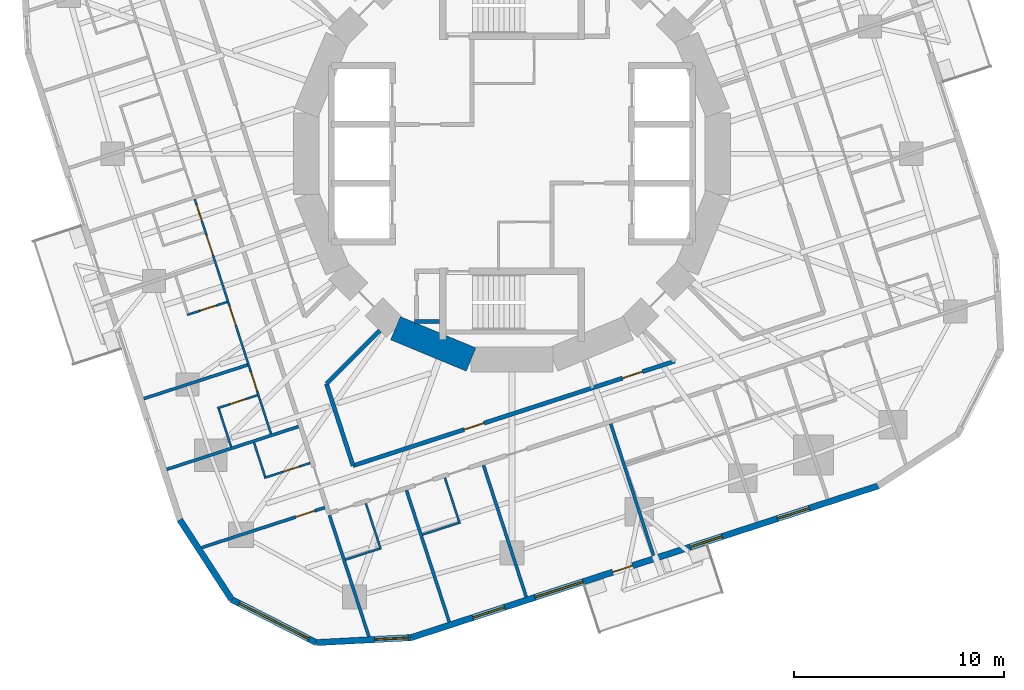
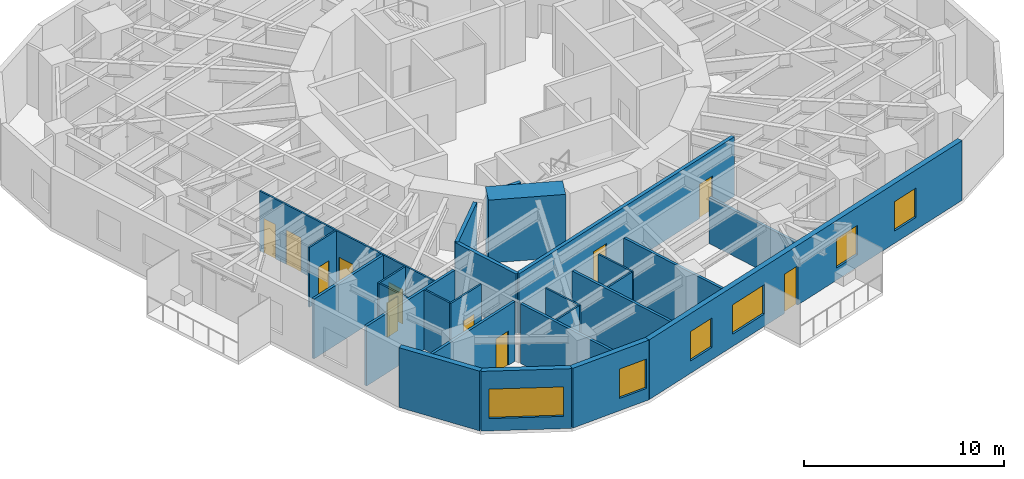
# One storey, part 4 of 13: 26 walls, 11 doors, 6 windows, 17 openings.
"""IFC4 building model written with IfcOpenShell, lengths in metres."""

from ifc_helpers import new_model, si_unit, direction, frame, frame_2d, origin, place, context, subcontext, project, spatial, rectangle, extrude, material, layer, layer_set, type_object, element, fill, save


model = new_model("IFC4")

# Units and contexts
model_context = context("Model", 3, precision=1e-05, world=origin(), true_north=direction((0.0, 1.0)))
body_context = subcontext(model_context, "Body", "Model", "MODEL_VIEW")
ifc_project = project(units=[si_unit("LENGTHUNIT", "METRE"), si_unit("AREAUNIT", "SQUARE_METRE"), si_unit("VOLUMEUNIT", "CUBIC_METRE"), si_unit("PLANEANGLEUNIT", "RADIAN"), si_unit("MASSUNIT", "GRAM", prefix="KILO")], contexts=[model_context])

# Site, building, storey
site_placement = place(None, origin())
site = spatial("IfcSite", under=ifc_project, at=site_placement, CompositionType="ELEMENT")
building_placement = place(site_placement, origin())
building = spatial("IfcBuilding", under=site, at=building_placement, Name="Nakasero Lantern House", CompositionType="ELEMENT")
storey_placement = place(building_placement, frame((0.0, 0.0, 157.199951171875)))
storey = spatial("IfcBuildingStorey", under=building, at=storey_placement, Name="L38", CompositionType="ELEMENT", Elevation=157.199951171875)

# Wall, openings, doors
ifc_material_1 = material(Name="Blockwork", Category="masonry")
ifc_layer_1 = layer(ifc_material_1, 0.10009765625)
ifc_layer_set_1 = layer_set([ifc_layer_1], Name="Cluster hall wall 100")
wall_type_1 = type_object("IfcWallType", Name="Cluster hall wall 100", PredefinedType="PARTITIONING", material=ifc_layer_set_1)
wall_1_placement = place(storey_placement, frame((-15.1220703125, -2.161865234375, 0.0), z_axis=(0.0, 0.0, 1.0), x_axis=(0.309009113534, -0.9510590769, 0.0)))
wall_1 = element("IfcWall", 1, at=wall_1_placement, inside=storey, type_object=wall_type_1, Name="Cluster hall wall L38 HW2-1", PredefinedType="PARTITIONING", context=body_context, shape_type="SweptSolid", body=[
    extrude(rectangle(XDim=11.76416015625, YDim=0.10009765625, at=frame_2d((5.882080078125, 0.0))), origin(), (0.0, 0.0, 1.0), 3.650146484375),
])
opening_1_placement = place(wall_1_placement, frame((1.81396484375, 0.0, 0.0)))
opening_1 = element("IfcOpeningElement", 2, at=opening_1_placement, cuts=wall_1, Name="Opening D03", PredefinedType="OPENING", context=body_context, shape_type="SweptSolid", body=[
    extrude(rectangle(XDim=1.0, YDim=2.10009765625, at=frame_2d((0.5, 1.050048828125))), frame((0.0, 0.070068359375, 0.0), z_axis=(0.0, -1.0, 0.0), x_axis=(1.0, 0.0, 0.0)), (0.0, 0.0, 1.0), 0.14013671875),
])
opening_2_placement = place(wall_1_placement, frame((0.300048828125, 0.0, 0.0)))
opening_2 = element("IfcOpeningElement", 3, at=opening_2_placement, cuts=wall_1, Name="Opening D02", PredefinedType="OPENING", context=body_context, shape_type="SweptSolid", body=[
    extrude(rectangle(XDim=0.800048828125, YDim=2.10009765625, at=frame_2d((0.39990234375, 1.050048828125))), frame((0.0, 0.070068359375, 0.0), z_axis=(0.0, -1.0, 0.0), x_axis=(1.0, 0.0, 0.0)), (0.0, 0.0, 1.0), 0.14013671875),
])
opening_3_placement = place(wall_1_placement, frame((5.364013671875, 0.0, 0.0)))
opening_3 = element("IfcOpeningElement", 4, at=opening_3_placement, cuts=wall_1, Name="Opening D01", PredefinedType="OPENING", context=body_context, shape_type="SweptSolid", body=[
    extrude(rectangle(XDim=0.949951171875, YDim=2.10009765625, at=frame_2d((0.47509765625, 1.050048828125))), frame((0.0, 0.070068359375, 0.0), z_axis=(0.0, -1.0, 0.0), x_axis=(1.0, 0.0, 0.0)), (0.0, 0.0, 1.0), 0.14013671875),
])
opening_4_placement = place(wall_1_placement, frame((8.670166015625, 0.0, 0.0)))
opening_4 = element("IfcOpeningElement", 5, at=opening_4_placement, cuts=wall_1, Name="Opening D01", PredefinedType="OPENING", context=body_context, shape_type="SweptSolid", body=[
    extrude(rectangle(XDim=0.949951171875, YDim=2.10009765625, at=frame_2d((0.47509765625, 1.050048828125))), frame((0.0, 0.070068359375, 0.0), z_axis=(0.0, -1.0, 0.0), x_axis=(1.0, 0.0, 0.0)), (0.0, 0.0, 1.0), 0.14013671875),
])
ifc_material_2 = material(Name="Timber C24", Category="wood")
door_type_1 = type_object("IfcDoorType", Name="Bedroom door FD30S 950", OperationType="SINGLE_SWING_LEFT", PredefinedType="DOOR", material=ifc_material_2)
door_1_placement = place(opening_3_placement, origin())
door_1 = element("IfcDoor", 6, at=door_1_placement, inside=storey, type_object=door_type_1, Name="Door L38 D2-04", OperationType="SINGLE_SWING_LEFT", OverallHeight=2.10009765625, OverallWidth=0.949951171875, PredefinedType="DOOR", context=body_context, shape_type="SweptSolid", body=[
    extrude(rectangle(XDim=0.949951171875, YDim=2.10009765625, at=frame_2d((0.47509765625, 1.050048828125))), frame((0.0, 0.02490234375, 0.0), z_axis=(0.0, -1.0, 0.0), x_axis=(1.0, 0.0, 0.0)), (0.0, 0.0, 1.0), 0.050048828125),
])
fill(opening_3, door_1)
door_2_placement = place(opening_4_placement, origin())
door_2 = element("IfcDoor", 7, at=door_2_placement, inside=storey, type_object=door_type_1, Name="Door L38 D2-05", OperationType="SINGLE_SWING_RIGHT", OverallHeight=2.10009765625, OverallWidth=0.949951171875, PredefinedType="DOOR", context=body_context, shape_type="SweptSolid", body=[
    extrude(rectangle(XDim=0.949951171875, YDim=2.10009765625, at=frame_2d((0.47509765625, 1.050048828125))), frame((0.0, 0.02490234375, 0.0), z_axis=(0.0, -1.0, 0.0), x_axis=(1.0, 0.0, 0.0)), (0.0, 0.0, 1.0), 0.050048828125),
])
fill(opening_4, door_2)
ifc_material_3 = material(Name="Timber C24", Category="wood")
door_type_2 = type_object("IfcDoorType", Name="En-suite door 800", OperationType="SINGLE_SWING_RIGHT", PredefinedType="DOOR", material=ifc_material_3)
door_3_placement = place(opening_2_placement, origin())
door_3 = element("IfcDoor", 8, at=door_3_placement, inside=storey, type_object=door_type_2, Name="Door L38 DSH2-1", OperationType="SINGLE_SWING_LEFT", OverallHeight=2.10009765625, OverallWidth=0.800048828125, PredefinedType="DOOR", context=body_context, shape_type="SweptSolid", body=[
    extrude(rectangle(XDim=0.800048828125, YDim=2.10009765625, at=frame_2d((0.39990234375, 1.050048828125))), frame((0.0, 0.02490234375, 0.0), z_axis=(0.0, -1.0, 0.0), x_axis=(1.0, 0.0, 0.0)), (0.0, 0.0, 1.0), 0.050048828125),
])
fill(opening_2, door_3)
ifc_material_4 = material(Name="Timber C24", Category="wood")
door_type_3 = type_object("IfcDoorType", Name="Lounge door FD30S 1000", OperationType="SINGLE_SWING_LEFT", PredefinedType="DOOR", material=ifc_material_4)
door_4_placement = place(opening_1_placement, origin())
door_4 = element("IfcDoor", 9, at=door_4_placement, inside=storey, type_object=door_type_3, Name="Door L38 DH2-1", OperationType="SINGLE_SWING_LEFT", OverallHeight=2.10009765625, OverallWidth=1.0, PredefinedType="DOOR", context=body_context, shape_type="SweptSolid", body=[
    extrude(rectangle(XDim=1.0, YDim=2.10009765625, at=frame_2d((0.5, 1.050048828125))), frame((0.0, 0.02490234375, 0.0), z_axis=(0.0, -1.0, 0.0), x_axis=(1.0, 0.0, 0.0)), (0.0, 0.0, 1.0), 0.050048828125),
])
fill(opening_1, door_4)

# Walls
ifc_material_5 = material(Name="Concrete C50/60", Category="concrete")
ifc_layer_2 = layer(ifc_material_5, 1.199951171875)
ifc_layer_set_2 = layer_set([ifc_layer_2], Name="Core wall 1200")
wall_type_2 = type_object("IfcWallType", Name="Core wall 1200", PredefinedType="SHEAR", material=ifc_layer_set_2)
wall_2_placement = place(storey_placement, frame((-5.5556640625, -8.314697265625, 0.0), z_axis=(0.0, 0.0, 1.0), x_axis=(0.923876507187, -0.382690736062, 0.0)))
element("IfcWall", 10, at=wall_2_placement, inside=storey, type_object=wall_type_2, Name="Core wall L38 facet 11", PredefinedType="SHEAR", context=body_context, shape_type="SweptSolid", body=[
    extrude(rectangle(XDim=3.90185546875, YDim=1.199951171875, at=frame_2d((1.950927734375, 0.0))), origin(), (0.0, 0.0, 1.0), 3.85009765625),
])
ifc_material_6 = material(Name="Blockwork", Category="masonry")
ifc_layer_3 = layer(ifc_material_6, 0.199951171875)
ifc_layer_set_3 = layer_set([ifc_layer_3], Name="Corridor wall 200")
wall_type_3 = type_object("IfcWallType", Name="Corridor wall 200", PredefinedType="PARTITIONING", material=ifc_layer_set_3)
wall_3_placement = place(storey_placement, frame((-8.84423828125, -10.965576171875, 0.0), z_axis=(0.0, 0.0, 1.0), x_axis=(0.308973082722, -0.951070782935, 0.0)))
element("IfcWall", 11, at=wall_3_placement, inside=storey, type_object=wall_type_3, Name="Corridor wall L38 IW2-1", PredefinedType="PARTITIONING", context=body_context, shape_type="SweptSolid", body=[
    extrude(rectangle(XDim=4.104248046875, YDim=0.199951171875, at=frame_2d((2.05224609375, 0.0))), origin(), (0.0, 0.0, 1.0), 3.650146484375),
])

# Wall, openings, doors
wall_4_placement = place(storey_placement, frame((-7.576171875, -14.868896484375, 0.0), z_axis=(0.0, 0.0, 1.0), x_axis=(0.951056647235, 0.309016591385, 0.0)))
wall_4 = element("IfcWall", 12, at=wall_4_placement, inside=storey, type_object=wall_type_3, Name="Corridor wall L38 IW3-0", PredefinedType="PARTITIONING", context=body_context, shape_type="SweptSolid", body=[
    extrude(rectangle(XDim=16.12890625, YDim=0.199951171875, at=frame_2d((8.064453125, 0.0))), origin(), (0.0, 0.0, 1.0), 3.650146484375),
])
opening_5_placement = place(wall_4_placement, frame((5.5625, 0.0, 0.0)))
opening_5 = element("IfcOpeningElement", 13, at=opening_5_placement, cuts=wall_4, Name="Opening D07", PredefinedType="OPENING", context=body_context, shape_type="SweptSolid", body=[
    extrude(rectangle(XDim=1.0, YDim=2.10009765625, at=frame_2d((0.5, 1.050048828125))), frame((0.0, 0.119873046875, 0.0), z_axis=(0.0, -1.0, 0.0), x_axis=(1.0, 0.0, 0.0)), (0.0, 0.0, 1.0), 0.239990234375),
])
opening_6_placement = place(wall_4_placement, frame((13.501953125, 0.0, 0.0)))
opening_6 = element("IfcOpeningElement", 14, at=opening_6_placement, cuts=wall_4, Name="Opening D07", PredefinedType="OPENING", context=body_context, shape_type="SweptSolid", body=[
    extrude(rectangle(XDim=1.0, YDim=2.10009765625, at=frame_2d((0.5, 1.050048828125))), frame((0.0, 0.119873046875, 0.0), z_axis=(0.0, -1.0, 0.0), x_axis=(1.0, 0.0, 0.0)), (0.0, 0.0, 1.0), 0.239990234375),
])
ifc_material_7 = material(Name="Timber C24", Category="wood")
door_type_4 = type_object("IfcDoorType", Name="Room door FD30S 1000", OperationType="SINGLE_SWING_LEFT", PredefinedType="DOOR", material=ifc_material_7)
door_5_placement = place(opening_5_placement, origin())
door_5 = element("IfcDoor", 15, at=door_5_placement, inside=storey, type_object=door_type_4, Name="Door L38 DI2", OperationType="SINGLE_SWING_LEFT", OverallHeight=2.10009765625, OverallWidth=1.0, PredefinedType="DOOR", context=body_context, shape_type="SweptSolid", body=[
    extrude(rectangle(XDim=1.0, YDim=2.10009765625, at=frame_2d((0.5, 1.050048828125))), frame((0.0, 0.02490234375, 0.0), z_axis=(0.0, -1.0, 0.0), x_axis=(1.0, 0.0, 0.0)), (0.0, 0.0, 1.0), 0.050048828125),
])
fill(opening_5, door_5)
door_6_placement = place(opening_6_placement, origin())
door_6 = element("IfcDoor", 16, at=door_6_placement, inside=storey, type_object=door_type_4, Name="Door L38 DI3", OperationType="SINGLE_SWING_RIGHT", OverallHeight=2.10009765625, OverallWidth=1.0, PredefinedType="DOOR", context=body_context, shape_type="SweptSolid", body=[
    extrude(rectangle(XDim=1.0, YDim=2.10009765625, at=frame_2d((0.5, 1.050048828125))), frame((0.0, 0.02490234375, 0.0), z_axis=(0.0, -1.0, 0.0), x_axis=(1.0, 0.0, 0.0)), (0.0, 0.0, 1.0), 0.050048828125),
])
fill(opening_6, door_6)

# Wall
wall_5_placement = place(storey_placement, frame((-6.298828125, -8.420166015625, 0.0), z_axis=(0.0, 0.0, 1.0), x_axis=(-0.707106781187, -0.707106781187, 0.0)))
element("IfcWall", 17, at=wall_5_placement, inside=storey, type_object=wall_type_3, Name="Corridor wall L38 PS10a", PredefinedType="PARTITIONING", context=body_context, shape_type="SweptSolid", body=[
    extrude(rectangle(XDim=3.599853515625, YDim=0.199951171875, at=frame_2d((1.7998046875, 0.0))), origin(), (0.0, 0.0, 1.0), 3.650146484375),
])

# Wall, opening, door
ifc_material_8 = material(Name="Blockwork", Category="masonry")
ifc_layer_4 = layer(ifc_material_8, 0.10009765625)
ifc_layer_set_4 = layer_set([ifc_layer_4], Name="En-suite wall 100")
wall_type_4 = type_object("IfcWallType", Name="En-suite wall 100", PredefinedType="PARTITIONING", material=ifc_layer_set_4)
wall_6_placement = place(storey_placement, frame((-13.58154296875, -7.064697265625, 0.0), z_axis=(0.0, 0.0, 1.0), x_axis=(-0.951036759863, -0.309077791808, 0.0)))
wall_6 = element("IfcWall", 18, at=wall_6_placement, inside=storey, type_object=wall_type_4, Name="En-suite wall L38 ES2-04", PredefinedType="PARTITIONING", context=body_context, shape_type="SweptSolid", body=[
    extrude(rectangle(XDim=2.0, YDim=0.10009765625, at=frame_2d((1.0, 0.0))), origin(), (0.0, 0.0, 1.0), 3.650146484375),
])
opening_7_placement = place(wall_6_placement, frame((0.550048828125, 0.0, 0.0)))
opening_7 = element("IfcOpeningElement", 19, at=opening_7_placement, cuts=wall_6, Name="Opening D02", PredefinedType="OPENING", context=body_context, shape_type="SweptSolid", body=[
    extrude(rectangle(XDim=0.800048828125, YDim=2.10009765625, at=frame_2d((0.39990234375, 1.050048828125))), frame((0.0, 0.070068359375, 0.0), z_axis=(0.0, -1.0, 0.0), x_axis=(1.0, 0.0, 0.0)), (0.0, 0.0, 1.0), 0.14013671875),
])
door_7_placement = place(opening_7_placement, origin())
door_7 = element("IfcDoor", 20, at=door_7_placement, inside=storey, type_object=door_type_2, Name="Door L38 DE2-04", OperationType="SINGLE_SWING_LEFT", OverallHeight=2.10009765625, OverallWidth=0.800048828125, PredefinedType="DOOR", context=body_context, shape_type="SweptSolid", body=[
    extrude(rectangle(XDim=0.800048828125, YDim=2.10009765625, at=frame_2d((0.39990234375, 1.050048828125))), frame((0.0, 0.02490234375, 0.0), z_axis=(0.0, -1.0, 0.0), x_axis=(1.0, 0.0, 0.0)), (0.0, 0.0, 1.0), 0.050048828125),
])
fill(opening_7, door_7)

wall_7_placement = place(storey_placement, frame((-12.13671875, -11.51123046875, 0.0), z_axis=(0.0, 0.0, 1.0), x_axis=(-0.951048418938, -0.309041914367, 0.0)))
wall_7 = element("IfcWall", 21, at=wall_7_placement, inside=storey, type_object=wall_type_4, Name="En-suite wall L38 ES2-05", PredefinedType="PARTITIONING", context=body_context, shape_type="SweptSolid", body=[
    extrude(rectangle(XDim=2.000244140625, YDim=0.10009765625, at=frame_2d((1.0, 0.0))), origin(), (0.0, 0.0, 1.0), 3.650146484375),
])
opening_8_placement = place(wall_7_placement, frame((0.550048828125, 0.0, 0.0)))
opening_8 = element("IfcOpeningElement", 22, at=opening_8_placement, cuts=wall_7, Name="Opening D02", PredefinedType="OPENING", context=body_context, shape_type="SweptSolid", body=[
    extrude(rectangle(XDim=0.800048828125, YDim=2.10009765625, at=frame_2d((0.39990234375, 1.050048828125))), frame((0.0, 0.070068359375, 0.0), z_axis=(0.0, -1.0, 0.0), x_axis=(1.0, 0.0, 0.0)), (0.0, 0.0, 1.0), 0.14013671875),
])
door_8_placement = place(opening_8_placement, origin())
door_8 = element("IfcDoor", 23, at=door_8_placement, inside=storey, type_object=door_type_2, Name="Door L38 DE2-05", OperationType="SINGLE_SWING_LEFT", OverallHeight=2.10009765625, OverallWidth=0.800048828125, PredefinedType="DOOR", context=body_context, shape_type="SweptSolid", body=[
    extrude(rectangle(XDim=0.800048828125, YDim=2.10009765625, at=frame_2d((0.39990234375, 1.050048828125))), frame((0.0, 0.02490234375, 0.0), z_axis=(0.0, -1.0, 0.0), x_axis=(1.0, 0.0, 0.0)), (0.0, 0.0, 1.0), 0.050048828125),
])
fill(opening_8, door_8)

# Wall
wall_8_placement = place(storey_placement, frame((-13.975830078125, -12.161376953125, 0.0), z_axis=(0.0, 0.0, 1.0), x_axis=(0.308894308917, -0.951096370469, 0.0)))
element("IfcWall", 24, at=wall_8_placement, inside=storey, type_object=wall_type_4, Name="En-suite wall L38 EE2-05", PredefinedType="PARTITIONING", context=body_context, shape_type="SweptSolid", body=[
    extrude(rectangle(XDim=1.900146484375, YDim=0.10009765625, at=frame_2d((0.9501953125, 0.0))), origin(), (0.0, 0.0, 1.0), 3.650146484375),
])

# Wall, opening, door
wall_9_placement = place(storey_placement, frame((-9.61572265625, -14.740234375, 0.0), z_axis=(0.0, 0.0, 1.0), x_axis=(-0.951055129775, -0.309021261611, 0.0)))
wall_9 = element("IfcWall", 25, at=wall_9_placement, inside=storey, type_object=wall_type_4, Name="En-suite wall L38 ES2-06", PredefinedType="PARTITIONING", context=body_context, shape_type="SweptSolid", body=[
    extrude(rectangle(XDim=2.2998046875, YDim=0.10009765625, at=frame_2d((1.14990234375, 0.0))), origin(), (0.0, 0.0, 1.0), 3.650146484375),
])
opening_9_placement = place(wall_9_placement, frame((0.550048828125, 0.0, 0.0)))
opening_9 = element("IfcOpeningElement", 26, at=opening_9_placement, cuts=wall_9, Name="Opening D02", PredefinedType="OPENING", context=body_context, shape_type="SweptSolid", body=[
    extrude(rectangle(XDim=0.800048828125, YDim=2.10009765625, at=frame_2d((0.39990234375, 1.050048828125))), frame((0.0, 0.070068359375, 0.0), z_axis=(0.0, -1.0, 0.0), x_axis=(1.0, 0.0, 0.0)), (0.0, 0.0, 1.0), 0.14013671875),
])
door_9_placement = place(opening_9_placement, origin())
door_9 = element("IfcDoor", 27, at=door_9_placement, inside=storey, type_object=door_type_2, Name="Door L38 DE2-06", OperationType="SINGLE_SWING_LEFT", OverallHeight=2.10009765625, OverallWidth=0.800048828125, PredefinedType="DOOR", context=body_context, shape_type="SweptSolid", body=[
    extrude(rectangle(XDim=0.800048828125, YDim=2.10009765625, at=frame_2d((0.39990234375, 1.050048828125))), frame((0.0, 0.02490234375, 0.0), z_axis=(0.0, -1.0, 0.0), x_axis=(1.0, 0.0, 0.0)), (0.0, 0.0, 1.0), 0.050048828125),
])
fill(opening_9, door_9)

# Walls
wall_10_placement = place(storey_placement, frame((-12.29638671875, -13.771240234375, 0.0), z_axis=(0.0, 0.0, 1.0), x_axis=(0.309066587596, -0.951040401051, 0.0)))
element("IfcWall", 28, at=wall_10_placement, inside=storey, type_object=wall_type_4, Name="En-suite wall L38 EE2-06", PredefinedType="PARTITIONING", context=body_context, shape_type="SweptSolid", body=[
    extrude(rectangle(XDim=1.699951171875, YDim=0.10009765625, at=frame_2d((0.85009765625, 0.0))), origin(), (0.0, 0.0, 1.0), 3.650146484375),
])
wall_11_placement = place(storey_placement, frame((-6.965087890625, -16.668212890625, 0.0), z_axis=(0.0, 0.0, 1.0), x_axis=(0.309021261611, -0.951055129775, 0.0)))
element("IfcWall", 29, at=wall_11_placement, inside=storey, type_object=wall_type_4, Name="En-suite wall L38 ES3-00", PredefinedType="PARTITIONING", context=body_context, shape_type="SweptSolid", body=[
    extrude(rectangle(XDim=2.2998046875, YDim=0.10009765625, at=frame_2d((1.14990234375, 0.0))), origin(), (0.0, 0.0, 1.0), 3.650146484375),
])
wall_12_placement = place(storey_placement, frame((-7.934326171875, -19.348876953125, 0.0), z_axis=(0.0, 0.0, 1.0), x_axis=(0.951054116971, 0.309024378638, 0.0)))
element("IfcWall", 30, at=wall_12_placement, inside=storey, type_object=wall_type_4, Name="En-suite wall L38 EE3-00", PredefinedType="PARTITIONING", context=body_context, shape_type="SweptSolid", body=[
    extrude(rectangle(XDim=1.7001953125, YDim=0.10009765625, at=frame_2d((0.85009765625, 0.0))), origin(), (0.0, 0.0, 1.0), 3.650146484375),
])
wall_13_placement = place(storey_placement, frame((-3.199462890625, -15.444580078125, 0.0), z_axis=(0.0, 0.0, 1.0), x_axis=(0.308990065628, -0.951065265554, 0.0)))
element("IfcWall", 31, at=wall_13_placement, inside=storey, type_object=wall_type_4, Name="En-suite wall L38 ES3-01", PredefinedType="PARTITIONING", context=body_context, shape_type="SweptSolid", body=[
    extrude(rectangle(XDim=2.300048828125, YDim=0.10009765625, at=frame_2d((1.14990234375, 0.0))), origin(), (0.0, 0.0, 1.0), 3.650146484375),
])
wall_14_placement = place(storey_placement, frame((-4.263671875, -18.15625, 0.0), z_axis=(0.0, 0.0, 1.0), x_axis=(0.951030081821, 0.309098339485, 0.0)))
element("IfcWall", 32, at=wall_14_placement, inside=storey, type_object=wall_type_4, Name="En-suite wall L38 EE3-01", PredefinedType="PARTITIONING", context=body_context, shape_type="SweptSolid", body=[
    extrude(rectangle(XDim=1.800048828125, YDim=0.10009765625, at=frame_2d((0.89990234375, 0.0))), origin(), (0.0, 0.0, 1.0), 3.650146484375),
])
ifc_material_9 = material(Name="Aluminium rainscreen on blockwork", Category="masonry")
ifc_layer_5 = layer(ifc_material_9, 0.300048828125)
ifc_layer_set_5 = layer_set([ifc_layer_5], Name="Facade wall 300")
wall_type_5 = type_object("IfcWallType", Name="Facade wall 300", PredefinedType="SOLIDWALL", material=ifc_layer_set_5)
wall_15_placement = place(storey_placement, frame((-15.83349609375, -17.44677734375, 0.0), z_axis=(0.0, 0.0, 1.0), x_axis=(0.544634002266, -0.838673836229, 0.0)))
element("IfcWall", 33, at=wall_15_placement, inside=storey, type_object=wall_type_5, Name="Facade wall L38 FW2C1", PredefinedType="SOLIDWALL", context=body_context, shape_type="SweptSolid", body=[
    extrude(rectangle(XDim=4.529296875, YDim=0.300048828125, at=frame_2d((2.2646484375, 0.0))), origin(), (0.0, 0.0, 1.0), 3.650146484375),
])

# Wall, opening, window
wall_16_placement = place(storey_placement, frame((-13.36669921875, -21.245361328125, 0.0), z_axis=(0.0, 0.0, 1.0), x_axis=(0.890994655705, -0.454013792196, 0.0)))
wall_16 = element("IfcWall", 34, at=wall_16_placement, inside=storey, type_object=wall_type_5, Name="Facade wall L38 FW2C2", PredefinedType="SOLIDWALL", context=body_context, shape_type="SweptSolid", body=[
    extrude(rectangle(XDim=4.529296875, YDim=0.300048828125, at=frame_2d((2.2646484375, 0.0))), origin(), (0.0, 0.0, 1.0), 3.650146484375),
])
opening_10_placement = place(wall_16_placement, frame((0.39990234375, 0.0, 0.75)))
opening_10 = element("IfcOpeningElement", 35, at=opening_10_placement, cuts=wall_16, Name="Opening W237A", PredefinedType="OPENING", context=body_context, shape_type="SweptSolid", body=[
    extrude(rectangle(XDim=3.72900390625, YDim=1.800048828125, at=frame_2d((1.864501953125, 0.89990234375))), frame((0.0, 0.169921875, 0.0), z_axis=(0.0, -1.0, 0.0), x_axis=(1.0, 0.0, 0.0)), (0.0, 0.0, 1.0), 0.340087890625),
])
ifc_material_10 = material(Name="Aluminium 6063-T6 and glass", Category="aluminium")
window_type_1 = type_object("IfcWindowType", Name="Corner window 3729x1800", PartitioningType="SINGLE_PANEL", PredefinedType="WINDOW", material=ifc_material_10)
window_1_placement = place(opening_10_placement, origin())
window_1 = element("IfcWindow", 36, at=window_1_placement, inside=storey, type_object=window_type_1, Name="Window L38 WC2", OverallHeight=1.800048828125, OverallWidth=3.72900390625, PartitioningType="SINGLE_PANEL", PredefinedType="WINDOW", context=body_context, shape_type="SweptSolid", body=[
    extrude(rectangle(XDim=3.72900390625, YDim=1.800048828125, at=frame_2d((1.864501953125, 0.89990234375))), frame((0.0, 0.030029296875, 0.0), z_axis=(0.0, -1.0, 0.0), x_axis=(1.0, 0.0, 0.0)), (0.0, 0.0, 1.0), 0.06005859375),
])
fill(opening_10, window_1)

wall_17_placement = place(storey_placement, frame((-9.3310546875, -23.3017578125, 0.0), z_axis=(0.0, 0.0, 1.0), x_axis=(0.998629419044, 0.052338164079, 0.0)))
wall_17 = element("IfcWall", 37, at=wall_17_placement, inside=storey, type_object=wall_type_5, Name="Facade wall L38 FW2C3", PredefinedType="SOLIDWALL", context=body_context, shape_type="SweptSolid", body=[
    extrude(rectangle(XDim=4.529296875, YDim=0.300048828125, at=frame_2d((2.2646484375, 0.0))), origin(), (0.0, 0.0, 1.0), 3.650146484375),
])
opening_11_placement = place(wall_17_placement, frame((2.784912109375, 0.0, 0.75)))
opening_11 = element("IfcOpeningElement", 38, at=opening_11_placement, cuts=wall_17, Name="Opening W01", PredefinedType="OPENING", context=body_context, shape_type="SweptSolid", body=[
    extrude(rectangle(XDim=1.60009765625, YDim=1.800048828125, at=frame_2d((0.800048828125, 0.89990234375))), frame((0.0, 0.169921875, 0.0), z_axis=(0.0, -1.0, 0.0), x_axis=(1.0, 0.0, 0.0)), (0.0, 0.0, 1.0), 0.340087890625),
])
ifc_material_11 = material(Name="Aluminium 6063-T6 and glass", Category="aluminium")
window_type_2 = type_object("IfcWindowType", Name="Bedroom window 1600x1800", PartitioningType="SINGLE_PANEL", PredefinedType="WINDOW", material=ifc_material_11)
window_2_placement = place(opening_11_placement, origin())
window_2 = element("IfcWindow", 39, at=window_2_placement, inside=storey, type_object=window_type_2, Name="Window L38 WN3-00", OverallHeight=1.800048828125, OverallWidth=1.60009765625, PartitioningType="SINGLE_PANEL", PredefinedType="WINDOW", context=body_context, shape_type="SweptSolid", body=[
    extrude(rectangle(XDim=1.60009765625, YDim=1.800048828125, at=frame_2d((0.800048828125, 0.89990234375))), frame((0.0, 0.030029296875, 0.0), z_axis=(0.0, -1.0, 0.0), x_axis=(1.0, 0.0, 0.0)), (0.0, 0.0, 1.0), 0.06005859375),
])
fill(opening_11, window_2)

# Wall, openings, door, windows
wall_18_placement = place(storey_placement, frame((-4.807861328125, -23.064697265625, 0.0), z_axis=(0.0, 0.0, 1.0), x_axis=(0.951053618334, 0.30902591324, 0.0)))
wall_18 = element("IfcWall", 40, at=wall_18_placement, inside=storey, type_object=wall_type_5, Name="Facade wall L38 FW3S", PredefinedType="SOLIDWALL", context=body_context, shape_type="SweptSolid", body=[
    extrude(rectangle(XDim=23.39990234375, YDim=0.300048828125, at=frame_2d((11.699951171875, 0.0))), origin(), (0.0, 0.0, 1.0), 3.650146484375),
])
opening_12_placement = place(wall_18_placement, frame((3.089111328125, 0.0, 0.75)))
opening_12 = element("IfcOpeningElement", 41, at=opening_12_placement, cuts=wall_18, Name="Opening W01", PredefinedType="OPENING", context=body_context, shape_type="SweptSolid", body=[
    extrude(rectangle(XDim=1.60009765625, YDim=1.800048828125, at=frame_2d((0.800048828125, 0.89990234375))), frame((0.0, 0.169921875, 0.0), z_axis=(0.0, -1.0, 0.0), x_axis=(1.0, 0.0, 0.0)), (0.0, 0.0, 1.0), 0.340087890625),
])
opening_13_placement = place(wall_18_placement, frame((13.987548828125, 0.0, 0.75)))
opening_13 = element("IfcOpeningElement", 42, at=opening_13_placement, cuts=wall_18, Name="Opening W01", PredefinedType="OPENING", context=body_context, shape_type="SweptSolid", body=[
    extrude(rectangle(XDim=1.60009765625, YDim=1.800048828125, at=frame_2d((0.800048828125, 0.89990234375))), frame((0.0, 0.169921875, 0.0), z_axis=(0.0, -1.0, 0.0), x_axis=(1.0, 0.0, 0.0)), (0.0, 0.0, 1.0), 0.340087890625),
])
opening_14_placement = place(wall_18_placement, frame((18.350341796875, 0.0, 0.75)))
opening_14 = element("IfcOpeningElement", 43, at=opening_14_placement, cuts=wall_18, Name="Opening W01", PredefinedType="OPENING", context=body_context, shape_type="SweptSolid", body=[
    extrude(rectangle(XDim=1.60009765625, YDim=1.800048828125, at=frame_2d((0.800048828125, 0.89990234375))), frame((0.0, 0.169921875, 0.0), z_axis=(0.0, -1.0, 0.0), x_axis=(1.0, 0.0, 0.0)), (0.0, 0.0, 1.0), 0.340087890625),
])
opening_15_placement = place(wall_18_placement, frame((6.21337890625, 0.0, 0.75)))
opening_15 = element("IfcOpeningElement", 44, at=opening_15_placement, cuts=wall_18, Name="Opening W03", PredefinedType="OPENING", context=body_context, shape_type="SweptSolid", body=[
    extrude(rectangle(XDim=2.39990234375, YDim=1.800048828125, at=frame_2d((1.199951171875, 0.89990234375))), frame((0.0, 0.169921875, 0.0), z_axis=(0.0, -1.0, 0.0), x_axis=(1.0, 0.0, 0.0)), (0.0, 0.0, 1.0), 0.340087890625),
])
opening_16_placement = place(wall_18_placement, frame((10.1025390625, 0.0, 0.0)))
opening_16 = element("IfcOpeningElement", 45, at=opening_16_placement, cuts=wall_18, Name="Opening D04", PredefinedType="OPENING", context=body_context, shape_type="SweptSolid", body=[
    extrude(rectangle(XDim=1.0, YDim=2.39990234375, at=frame_2d((0.5, 1.199951171875))), frame((0.0, 0.169921875, 0.0), z_axis=(0.0, -1.0, 0.0), x_axis=(1.0, 0.0, 0.0)), (0.0, 0.0, 1.0), 0.340087890625),
])
ifc_material_12 = material(Name="Aluminium 6063-T6 and glass", Category="aluminium")
door_type_5 = type_object("IfcDoorType", Name="Balcony door 1000x2400", OperationType="SINGLE_SWING_RIGHT", PredefinedType="DOOR", material=ifc_material_12)
door_10_placement = place(opening_16_placement, origin())
door_10 = element("IfcDoor", 46, at=door_10_placement, inside=storey, type_object=door_type_5, Name="Balcony door L38 DB3", OperationType="SINGLE_SWING_RIGHT", OverallHeight=2.39990234375, OverallWidth=1.0, PredefinedType="DOOR", context=body_context, shape_type="SweptSolid", body=[
    extrude(rectangle(XDim=1.0, YDim=2.39990234375, at=frame_2d((0.5, 1.199951171875))), frame((0.0, 0.02490234375, 0.0), z_axis=(0.0, -1.0, 0.0), x_axis=(1.0, 0.0, 0.0)), (0.0, 0.0, 1.0), 0.050048828125),
])
fill(opening_16, door_10)
window_3_placement = place(opening_12_placement, origin())
window_3 = element("IfcWindow", 47, at=window_3_placement, inside=storey, type_object=window_type_2, Name="Window L38 WN3-01", OverallHeight=1.800048828125, OverallWidth=1.60009765625, PartitioningType="SINGLE_PANEL", PredefinedType="WINDOW", context=body_context, shape_type="SweptSolid", body=[
    extrude(rectangle(XDim=1.60009765625, YDim=1.800048828125, at=frame_2d((0.800048828125, 0.89990234375))), frame((0.0, 0.030029296875, 0.0), z_axis=(0.0, -1.0, 0.0), x_axis=(1.0, 0.0, 0.0)), (0.0, 0.0, 1.0), 0.06005859375),
])
fill(opening_12, window_3)
window_4_placement = place(opening_13_placement, origin())
window_4 = element("IfcWindow", 48, at=window_4_placement, inside=storey, type_object=window_type_2, Name="Window L38 WN3-04", OverallHeight=1.800048828125, OverallWidth=1.60009765625, PartitioningType="SINGLE_PANEL", PredefinedType="WINDOW", context=body_context, shape_type="SweptSolid", body=[
    extrude(rectangle(XDim=1.60009765625, YDim=1.800048828125, at=frame_2d((0.800048828125, 0.89990234375))), frame((0.0, 0.030029296875, 0.0), z_axis=(0.0, -1.0, 0.0), x_axis=(1.0, 0.0, 0.0)), (0.0, 0.0, 1.0), 0.06005859375),
])
fill(opening_13, window_4)
window_5_placement = place(opening_14_placement, origin())
window_5 = element("IfcWindow", 49, at=window_5_placement, inside=storey, type_object=window_type_2, Name="Window L38 WN3-05", OverallHeight=1.800048828125, OverallWidth=1.60009765625, PartitioningType="SINGLE_PANEL", PredefinedType="WINDOW", context=body_context, shape_type="SweptSolid", body=[
    extrude(rectangle(XDim=1.60009765625, YDim=1.800048828125, at=frame_2d((0.800048828125, 0.89990234375))), frame((0.0, 0.030029296875, 0.0), z_axis=(0.0, -1.0, 0.0), x_axis=(1.0, 0.0, 0.0)), (0.0, 0.0, 1.0), 0.06005859375),
])
fill(opening_14, window_5)
ifc_material_13 = material(Name="Aluminium 6063-T6 and glass", Category="aluminium")
window_type_3 = type_object("IfcWindowType", Name="Lounge window 2400x1800", PartitioningType="SINGLE_PANEL", PredefinedType="WINDOW", material=ifc_material_13)
window_6_placement = place(opening_15_placement, origin())
window_6 = element("IfcWindow", 50, at=window_6_placement, inside=storey, type_object=window_type_3, Name="Window L38 WK3", OverallHeight=1.800048828125, OverallWidth=2.39990234375, PartitioningType="SINGLE_PANEL", PredefinedType="WINDOW", context=body_context, shape_type="SweptSolid", body=[
    extrude(rectangle(XDim=2.39990234375, YDim=1.800048828125, at=frame_2d((1.199951171875, 0.89990234375))), frame((0.0, 0.030029296875, 0.0), z_axis=(0.0, -1.0, 0.0), x_axis=(1.0, 0.0, 0.0)), (0.0, 0.0, 1.0), 0.06005859375),
])
fill(opening_15, window_6)

# Walls
ifc_material_14 = material(Name="Blockwork", Category="masonry")
ifc_layer_6 = layer(ifc_material_14, 0.199951171875)
ifc_layer_set_6 = layer_set([ifc_layer_6], Name="Fire lobby wall 200")
wall_type_6 = type_object("IfcWallType", Name="Fire lobby wall 200", PredefinedType="PARTITIONING", material=ifc_layer_set_6)
wall_19_placement = place(storey_placement, frame((-3.449951171875, -8.0, 0.0), z_axis=(0.0, 0.0, 1.0), x_axis=(-1.0, 0.0, 0.0)))
element("IfcWall", 51, at=wall_19_placement, inside=storey, type_object=wall_type_6, Name="Fire lobby wall L38 W-RS2S", PredefinedType="PARTITIONING", context=body_context, shape_type="SweptSolid", body=[
    extrude(rectangle(XDim=1.199951171875, YDim=0.199951171875, at=frame_2d((0.60009765625, 0.0))), origin(), (0.0, 0.0, 1.0), 3.650146484375),
])
ifc_material_15 = material(Name="Blockwork", Category="masonry")
ifc_layer_7 = layer(ifc_material_15, 0.14990234375)
ifc_layer_set_7 = layer_set([ifc_layer_7], Name="Party wall 150")
wall_type_7 = type_object("IfcWallType", Name="Party wall 150", PredefinedType="PARTITIONING", material=ifc_layer_set_7)
wall_20_placement = place(storey_placement, frame((-12.606201171875, -10.06640625, 0.0), z_axis=(0.0, 0.0, 1.0), x_axis=(-0.951055112834, -0.309021313752, 0.0)))
element("IfcWall", 52, at=wall_20_placement, inside=storey, type_object=wall_type_7, Name="Party wall L38 PW2-05", PredefinedType="PARTITIONING", context=body_context, shape_type="SweptSolid", body=[
    extrude(rectangle(XDim=5.2001953125, YDim=0.14990234375, at=frame_2d((2.60009765625, 0.0))), origin(), (0.0, 0.0, 1.0), 3.650146484375),
])
wall_21_placement = place(storey_placement, frame((-10.1796875, -13.004638671875, 0.0), z_axis=(0.0, 0.0, 1.0), x_axis=(-0.951053095941, -0.309027520945, 0.0)))
element("IfcWall", 53, at=wall_21_placement, inside=storey, type_object=wall_type_7, Name="Party wall L38 PW2-06", PredefinedType="PARTITIONING", context=body_context, shape_type="SweptSolid", body=[
    extrude(rectangle(XDim=6.599853515625, YDim=0.14990234375, at=frame_2d((3.2998046875, 0.0))), origin(), (0.0, 0.0, 1.0), 3.650146484375),
])

# Wall, opening, door
wall_22_placement = place(storey_placement, frame((-8.9248046875, -16.8662109375, 0.0), z_axis=(0.0, 0.0, 1.0), x_axis=(-0.951051818488, -0.309031452366, 0.0)))
wall_22 = element("IfcWall", 54, at=wall_22_placement, inside=storey, type_object=wall_type_7, Name="Party wall L38 PC2", PredefinedType="PARTITIONING", context=body_context, shape_type="SweptSolid", body=[
    extrude(rectangle(XDim=6.165283203125, YDim=0.14990234375, at=frame_2d((3.08251953125, 0.0))), origin(), (0.0, 0.0, 1.0), 3.650146484375),
])
opening_17_placement = place(wall_22_placement, frame((0.5, 0.0, 0.0)))
opening_17 = element("IfcOpeningElement", 55, at=opening_17_placement, cuts=wall_22, Name="Opening D01", PredefinedType="OPENING", context=body_context, shape_type="SweptSolid", body=[
    extrude(rectangle(XDim=0.949951171875, YDim=2.10009765625, at=frame_2d((0.47509765625, 1.050048828125))), frame((0.0, 0.094970703125, 0.0), z_axis=(0.0, -1.0, 0.0), x_axis=(1.0, 0.0, 0.0)), (0.0, 0.0, 1.0), 0.18994140625),
])
door_11_placement = place(opening_17_placement, origin())
door_11 = element("IfcDoor", 56, at=door_11_placement, inside=storey, type_object=door_type_1, Name="Door L38 DC2", OperationType="SINGLE_SWING_LEFT", OverallHeight=2.10009765625, OverallWidth=0.949951171875, PredefinedType="DOOR", context=body_context, shape_type="SweptSolid", body=[
    extrude(rectangle(XDim=0.949951171875, YDim=2.10009765625, at=frame_2d((0.47509765625, 1.050048828125))), frame((0.0, 0.02490234375, 0.0), z_axis=(0.0, -1.0, 0.0), x_axis=(1.0, 0.0, 0.0)), (0.0, 0.0, 1.0), 0.050048828125),
])
fill(opening_17, door_11)

# Walls
wall_23_placement = place(storey_placement, frame((-8.700927734375, -17.232177734375, 0.0), z_axis=(0.0, 0.0, 1.0), x_axis=(0.309015253813, -0.951057081836, 0.0)))
element("IfcWall", 57, at=wall_23_placement, inside=storey, type_object=wall_type_7, Name="Party wall L38 PW3-00", PredefinedType="PARTITIONING", context=body_context, shape_type="SweptSolid", body=[
    extrude(rectangle(XDim=6.080322265625, YDim=0.14990234375, at=frame_2d((3.0400390625, 0.0))), origin(), (0.0, 0.0, 1.0), 3.650146484375),
])
for number, where, z_axis, x_axis, name in (
    (58, (-5.0302734375, -16.03955078125, 0.0), (0.0, 0.0, 1.0), (0.309027520945, -0.951053095941, 0.0), "Party wall L38 PW3-01"),
    (59, (-1.359619140625, -14.846923828125, 0.0), (0.0, 0.0, 1.0), (0.309027520945, -0.951053095941, 0.0), "Party wall L38 PW3-02"),
):
    element("IfcWall", number, at=place(storey_placement, frame(where, z_axis=z_axis, x_axis=x_axis)), inside=storey, type_object=wall_type_7, Name=name, PredefinedType="PARTITIONING", context=body_context, shape_type="SweptSolid", body=[
        extrude(rectangle(XDim=6.599853515625, YDim=0.14990234375, at=frame_2d((3.2998046875, 0.0))), origin(), (0.0, 0.0, 1.0), 3.650146484375),
    ])
wall_24_placement = place(storey_placement, frame((4.706298828125, -12.8759765625, 0.0), z_axis=(0.0, 0.0, 1.0), x_axis=(0.309027520945, -0.951053095941, 0.0)))
element("IfcWall", 60, at=wall_24_placement, inside=storey, type_object=wall_type_7, Name="Party wall L38 PW3-04", PredefinedType="PARTITIONING", context=body_context, shape_type="SweptSolid", body=[
    extrude(rectangle(XDim=6.599853515625, YDim=0.14990234375, at=frame_2d((3.2998046875, 0.0))), origin(), (0.0, 0.0, 1.0), 2.809326171875),
])

save(model, "model.ifc")
